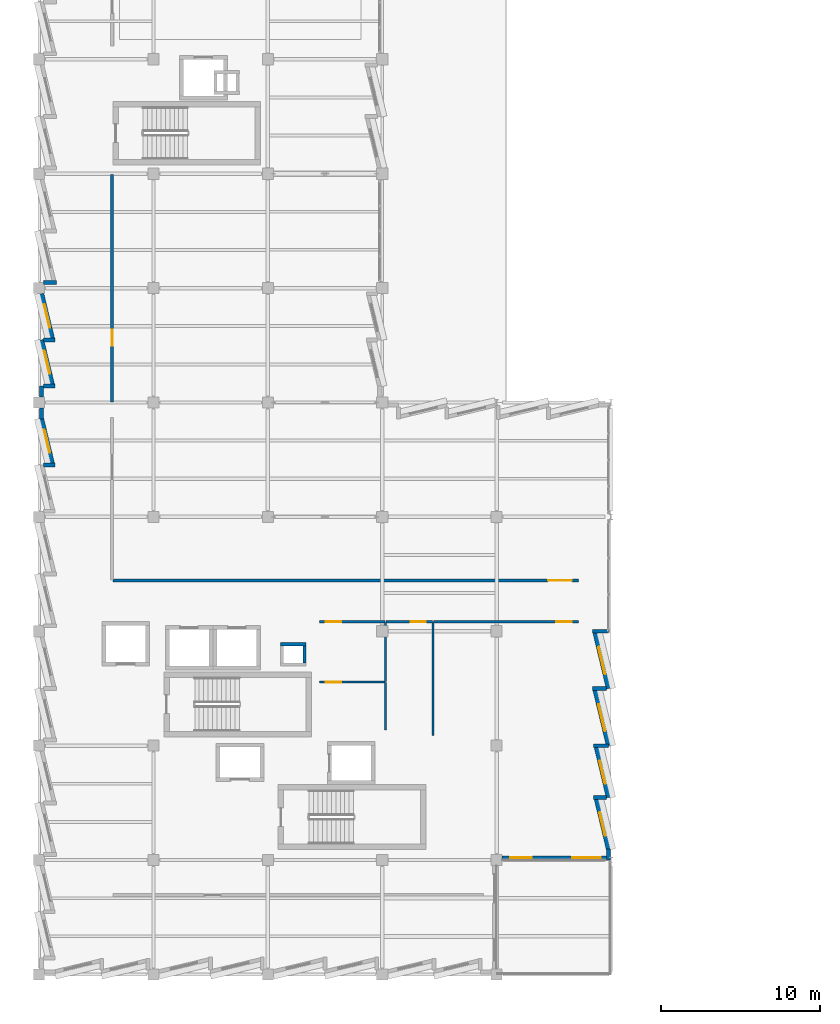
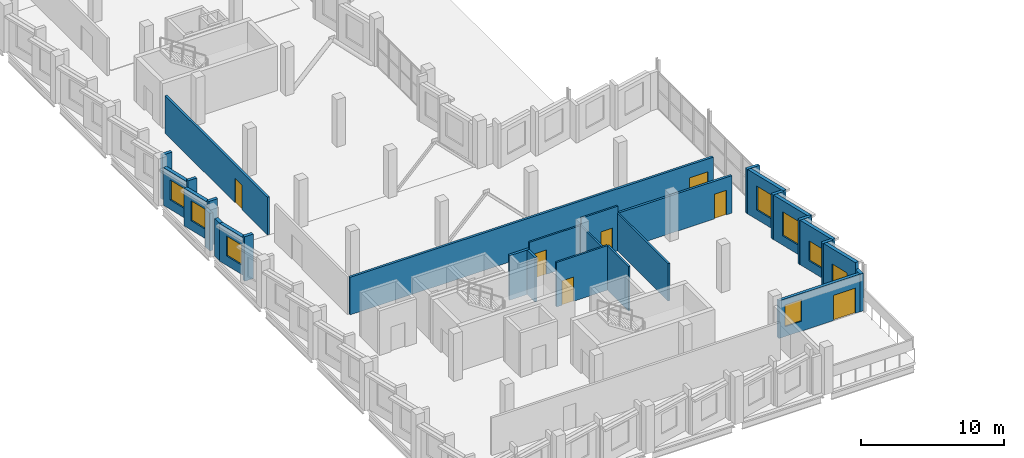
# One storey, part 30 of 38: 30 walls, 8 windows, 7 doors, 15 openings.
"""IFC4 building model written with IfcOpenShell, lengths in metres."""

from ifc_helpers import new_model, si_unit, direction, frame, frame_2d, origin, place, context, subcontext, project, spatial, rectangle, extrude, material, layer, layer_set, type_object, element, fill, save


model = new_model("IFC4")

# Units and contexts
model_context = context("Model", 3, precision=1e-05, world=origin(), true_north=direction((0.0, 1.0)))
body_context = subcontext(model_context, "Body", "Model", "MODEL_VIEW")
ifc_project = project(units=[si_unit("LENGTHUNIT", "METRE"), si_unit("AREAUNIT", "SQUARE_METRE"), si_unit("VOLUMEUNIT", "CUBIC_METRE"), si_unit("PLANEANGLEUNIT", "RADIAN"), si_unit("MASSUNIT", "GRAM", prefix="KILO")], contexts=[model_context])

# Site, building, storey
site_placement = place(None, origin())
site = spatial("IfcSite", under=ifc_project, at=site_placement, CompositionType="ELEMENT")
building_placement = place(site_placement, origin())
building = spatial("IfcBuilding", under=site, at=building_placement, Name="Kalmorath City Hall", CompositionType="ELEMENT")
storey_placement = place(building_placement, frame((0.0, 0.0, 18.89990234375)))
storey = spatial("IfcBuildingStorey", under=building, at=storey_placement, Name="L04", CompositionType="ELEMENT", Elevation=18.89990234375)

# Walls
ifc_material_1 = material(Name="Concrete C40/50", Category="concrete")
ifc_layer_1 = layer(ifc_material_1, 0.199951171875)
ifc_layer_set_1 = layer_set([ifc_layer_1], Name="Concrete C40/50")
wall_type_1 = type_object("IfcWallType", Name="Concrete service riser wall 200", PredefinedType="SOLIDWALL", material=ifc_layer_set_1)
wall_1_placement = place(storey_placement, frame((16.800048828125, 20.780029296875, 0.0), z_axis=(0.0, 0.0, 1.0), x_axis=(-1.0, 0.0, 0.0)))
element("IfcWall", 1, at=wall_1_placement, inside=storey, type_object=wall_type_1, Name="L04 RSR-1 riser shaft wall N", PredefinedType="SOLIDWALL", context=body_context, shape_type="SweptSolid", body=[
    extrude(rectangle(XDim=1.60009765625, YDim=0.199951171875, at=frame_2d((0.800048828125, 0.0))), origin(), (0.0, 0.0, 1.0), 3.800048828125),
])
wall_2_placement = place(storey_placement, frame((16.699951171875, 19.60009765625, 0.0), z_axis=(0.0, 0.0, 1.0), x_axis=(0.0, 1.0, 0.0)))
element("IfcWall", 2, at=wall_2_placement, inside=storey, type_object=wall_type_1, Name="L04 RSR-1 riser shaft wall E", PredefinedType="SOLIDWALL", context=body_context, shape_type="SweptSolid", body=[
    extrude(rectangle(XDim=1.079833984375, YDim=0.199951171875, at=frame_2d((0.5400390625, 0.0))), origin(), (0.0, 0.0, 1.0), 3.800048828125),
])

# Wall, opening, door
ifc_material_2 = material(Name="Fire-rated acoustic gypsum partition")
ifc_layer_2 = layer(ifc_material_2, 0.179931640625)
ifc_layer_set_2 = layer_set([ifc_layer_2], Name="Fire-rated acoustic gypsum partition")
wall_type_2 = type_object("IfcWallType", Name="One-hour corridor fire partition 180", PredefinedType="PARTITIONING", material=ifc_layer_set_2)
wall_3_placement = place(storey_placement, frame((4.60009765625, 36.0400390625, 0.0), z_axis=(0.0, 0.0, 1.0), x_axis=(0.0, 1.0, 0.0)))
wall_3 = element("IfcWall", 3, at=wall_3_placement, inside=storey, type_object=wall_type_2, Name="L04 interior partition PW2 #157", PredefinedType="PARTITIONING", context=body_context, shape_type="SweptSolid", body=[
    extrude(rectangle(XDim=14.320068359375, YDim=0.179931640625, at=frame_2d((7.16015625, 0.0))), origin(), (0.0, 0.0, 1.0), 3.2080078125),
])
opening_1_placement = place(wall_3_placement, frame((3.5400390625, 0.0, 0.0)))
opening_1 = element("IfcOpeningElement", 4, at=opening_1_placement, cuts=wall_3, Name="Opening D-L04-245", PredefinedType="OPENING", context=body_context, shape_type="SweptSolid", body=[
    extrude(rectangle(XDim=1.0, YDim=2.10009765625, at=frame_2d((0.5, 1.050048828125))), frame((0.0, 0.099853515625, 0.0), z_axis=(0.0, -1.0, 0.0), x_axis=(1.0, 0.0, 0.0)), (0.0, 0.0, 1.0), 0.199951171875),
])
ifc_material_3 = material(Name="Hardwood fire door", Category="wood")
door_type_1 = type_object("IfcDoorType", Name="Corridor 60-min fire door 1000x2100", OperationType="NOTDEFINED", PredefinedType="DOOR", material=ifc_material_3)
door_1_placement = place(opening_1_placement, origin())
door_1 = element("IfcDoor", 5, at=door_1_placement, inside=storey, type_object=door_type_1, Name="L04 door D-L04-245", OperationType="SINGLE_SWING_LEFT", OverallHeight=2.10009765625, OverallWidth=1.0, PredefinedType="DOOR", context=body_context, shape_type="SweptSolid", body=[
    extrude(rectangle(XDim=1.0, YDim=2.10009765625, at=frame_2d((0.5, 1.050048828125))), frame((0.0, 0.02490234375, 0.0), z_axis=(0.0, -1.0, 0.0), x_axis=(1.0, 0.0, 0.0)), (0.0, 0.0, 1.0), 0.050048828125),
])
fill(opening_1, door_1)

wall_4_placement = place(storey_placement, frame((24.840087890625, 22.199951171875, 0.0), z_axis=(0.0, 0.0, 1.0), x_axis=(1.0, 0.0, 0.0)))
wall_4 = element("IfcWall", 6, at=wall_4_placement, inside=storey, type_object=wall_type_2, Name="L04 interior partition PW2 #161", PredefinedType="PARTITIONING", context=body_context, shape_type="SweptSolid", body=[
    extrude(rectangle(XDim=9.119873046875, YDim=0.179931640625, at=frame_2d((4.56005859375, 0.0))), origin(), (0.0, 0.0, 1.0), 3.2060546875),
])
opening_2_placement = place(wall_4_placement, frame((7.699951171875, 0.0, 0.0)))
opening_2 = element("IfcOpeningElement", 7, at=opening_2_placement, cuts=wall_4, Name="Opening D-L04-242", PredefinedType="OPENING", context=body_context, shape_type="SweptSolid", body=[
    extrude(rectangle(XDim=1.0, YDim=2.10009765625, at=frame_2d((0.5, 1.050048828125))), frame((0.0, 0.099853515625, 0.0), z_axis=(0.0, -1.0, 0.0), x_axis=(1.0, 0.0, 0.0)), (0.0, 0.0, 1.0), 0.199951171875),
])
door_2_placement = place(opening_2_placement, origin())
door_2 = element("IfcDoor", 8, at=door_2_placement, inside=storey, type_object=door_type_1, Name="L04 door D-L04-242", OperationType="SINGLE_SWING_RIGHT", OverallHeight=2.10009765625, OverallWidth=1.0, PredefinedType="DOOR", context=body_context, shape_type="SweptSolid", body=[
    extrude(rectangle(XDim=1.0, YDim=2.10009765625, at=frame_2d((0.5, 1.050048828125))), frame((0.0, 0.02490234375, 0.0), z_axis=(0.0, -1.0, 0.0), x_axis=(1.0, 0.0, 0.0)), (0.0, 0.0, 1.0), 0.050048828125),
])
fill(opening_2, door_2)

wall_5_placement = place(storey_placement, frame((4.639892578125, 24.800048828125, 0.0), z_axis=(0.0, 0.0, 1.0), x_axis=(1.0, 0.0, 0.0)))
wall_5 = element("IfcWall", 9, at=wall_5_placement, inside=storey, type_object=wall_type_2, Name="L04 interior partition PW2 #162", PredefinedType="PARTITIONING", context=body_context, shape_type="SweptSolid", body=[
    extrude(rectangle(XDim=29.320068359375, YDim=0.179931640625, at=frame_2d((14.66015625, 0.0))), origin(), (0.0, 0.0, 1.0), 3.2060546875),
])
opening_3_placement = place(wall_5_placement, frame((27.39990234375, 0.0, 0.0)))
opening_3 = element("IfcOpeningElement", 10, at=opening_3_placement, cuts=wall_5, Name="Opening D-L04-243", PredefinedType="OPENING", context=body_context, shape_type="SweptSolid", body=[
    extrude(rectangle(XDim=1.5, YDim=2.10009765625, at=frame_2d((0.75, 1.050048828125))), frame((0.0, 0.099853515625, 0.0), z_axis=(0.0, -1.0, 0.0), x_axis=(1.0, 0.0, 0.0)), (0.0, 0.0, 1.0), 0.199951171875),
])
ifc_material_4 = material(Name="Hardwood veneer door", Category="wood")
door_type_2 = type_object("IfcDoorType", Name="Conference suite double door 1500x2100", OperationType="DOUBLE_DOOR_SINGLE_SWING", PredefinedType="DOOR", material=ifc_material_4)
door_3_placement = place(opening_3_placement, origin())
door_3 = element("IfcDoor", 11, at=door_3_placement, inside=storey, type_object=door_type_2, Name="L04 door D-L04-243", OperationType="DOUBLE_DOOR_SINGLE_SWING", OverallHeight=2.10009765625, OverallWidth=1.5, PredefinedType="DOOR", context=body_context, shape_type="SweptSolid", body=[
    extrude(rectangle(XDim=1.5, YDim=2.10009765625, at=frame_2d((0.75, 1.050048828125))), frame((0.0, 0.02490234375, 0.0), z_axis=(0.0, -1.0, 0.0), x_axis=(1.0, 0.0, 0.0)), (0.0, 0.0, 1.0), 0.050048828125),
])
fill(opening_3, door_3)

# Walls
ifc_material_5 = material(Name="Precast concrete C40/50", Category="concrete")
ifc_layer_3 = layer(ifc_material_5, 0.239990234375)
ifc_layer_set_3 = layer_set([ifc_layer_3], Name="Precast concrete C40/50")
wall_type_3 = type_object("IfcWallType", Name="Precast sawtooth cheek wall 240", PredefinedType="SOLIDWALL", material=ifc_layer_set_3)
wall_6_placement = place(storey_placement, frame((34.830810546875, 21.60009765625, 0.0), z_axis=(0.0, 0.0, 1.0), x_axis=(1.0, 0.0, 0.0)))
element("IfcWall", 12, at=wall_6_placement, inside=storey, type_object=wall_type_3, Name="L04 sawtooth return cheek #715", PredefinedType="SOLIDWALL", context=body_context, shape_type="SweptSolid", body=[
    extrude(rectangle(XDim=1.019287109375, YDim=0.239990234375, at=frame_2d((0.509765625, 0.0))), origin(), (0.0, 0.0, 1.0), 3.800048828125),
])
wall_7_placement = place(storey_placement, frame((34.830810546875, 18.0, 0.0), z_axis=(0.0, 0.0, 1.0), x_axis=(1.0, 0.0, 0.0)))
element("IfcWall", 13, at=wall_7_placement, inside=storey, type_object=wall_type_3, Name="L04 sawtooth return cheek #717", PredefinedType="SOLIDWALL", context=body_context, shape_type="SweptSolid", body=[
    extrude(rectangle(XDim=0.877197265625, YDim=0.239990234375, at=frame_2d((0.4384765625, 0.0))), origin(), (0.0, 0.0, 1.0), 3.800048828125),
])
wall_8_placement = place(storey_placement, frame((34.912353515625, 14.39990234375, 0.0), z_axis=(0.0, 0.0, 1.0), x_axis=(1.0, 0.0, 0.0)))
element("IfcWall", 14, at=wall_8_placement, inside=storey, type_object=wall_type_3, Name="L04 sawtooth return cheek #720", PredefinedType="SOLIDWALL", context=body_context, shape_type="SweptSolid", body=[
    extrude(rectangle(XDim=0.937744140625, YDim=0.239990234375, at=frame_2d((0.46875, 0.0))), origin(), (0.0, 0.0, 1.0), 3.800048828125),
])
wall_9_placement = place(storey_placement, frame((34.912353515625, 11.139892578125, 0.0), z_axis=(0.0, 0.0, 1.0), x_axis=(1.0, 0.0, 0.0)))
element("IfcWall", 15, at=wall_9_placement, inside=storey, type_object=wall_type_3, Name="L04 sawtooth return cheek #722", PredefinedType="SOLIDWALL", context=body_context, shape_type="SweptSolid", body=[
    extrude(rectangle(XDim=0.795654296875, YDim=0.239990234375, at=frame_2d((0.39794921875, 0.0))), origin(), (0.0, 0.0, 1.0), 3.800048828125),
])
wall_10_placement = place(storey_placement, frame((1.00341796875, 32.06005859375, 0.0), z_axis=(0.0, 0.0, 1.0), x_axis=(-1.0, 0.0, 0.0)))
element("IfcWall", 16, at=wall_10_placement, inside=storey, type_object=wall_type_3, Name="L04 sawtooth return cheek #764", PredefinedType="SOLIDWALL", context=body_context, shape_type="SweptSolid", body=[
    extrude(rectangle(XDim=0.71142578125, YDim=0.239990234375, at=frame_2d((0.355712890625, 0.0))), origin(), (0.0, 0.0, 1.0), 3.800048828125),
])
wall_11_placement = place(storey_placement, frame((1.00341796875, 37.031005859375, 0.0), z_axis=(0.0, 0.0, 1.0), x_axis=(-1.0, 0.0, 0.0)))
element("IfcWall", 17, at=wall_11_placement, inside=storey, type_object=wall_type_3, Name="L04 sawtooth return cheek #767", PredefinedType="SOLIDWALL", context=body_context, shape_type="SweptSolid", body=[
    extrude(rectangle(XDim=0.721435546875, YDim=0.239990234375, at=frame_2d((0.36083984375, 0.0))), origin(), (0.0, 0.0, 1.0), 3.800048828125),
])
wall_12_placement = place(storey_placement, frame((1.00341796875, 39.93994140625, 0.0), z_axis=(0.0, 0.0, 1.0), x_axis=(-1.0, 0.0, 0.0)))
element("IfcWall", 18, at=wall_12_placement, inside=storey, type_object=wall_type_3, Name="L04 sawtooth return cheek #769", PredefinedType="SOLIDWALL", context=body_context, shape_type="SweptSolid", body=[
    extrude(rectangle(XDim=0.71142578125, YDim=0.239990234375, at=frame_2d((0.355712890625, 0.0))), origin(), (0.0, 0.0, 1.0), 3.800048828125),
])
wall_13_placement = place(storey_placement, frame((1.0849609375, 43.551025390625, 0.0), z_axis=(0.0, 0.0, 1.0), x_axis=(-1.0, 0.0, 0.0)))
element("IfcWall", 19, at=wall_13_placement, inside=storey, type_object=wall_type_3, Name="L04 sawtooth return cheek #771", PredefinedType="SOLIDWALL", context=body_context, shape_type="SweptSolid", body=[
    extrude(rectangle(XDim=0.79296875, YDim=0.239990234375, at=frame_2d((0.396484375, 0.0))), origin(), (0.0, 0.0, 1.0), 3.800048828125),
])

# Wall, opening, window
ifc_material_6 = material(Name="Precast concrete C40/50", Category="concrete")
ifc_layer_4 = layer(ifc_material_6, 0.280029296875)
ifc_layer_set_4 = layer_set([ifc_layer_4], Name="Precast concrete C40/50")
wall_type_4 = type_object("IfcWallType", Name="Precast sawtooth facade wall 280", PredefinedType="SOLIDWALL", material=ifc_layer_set_4)
wall_14_placement = place(storey_placement, frame((34.997802734375, 21.507568359375, 0.0), z_axis=(0.0, 0.0, 1.0), x_axis=(0.233495818898, -0.972357805829, 0.0)))
wall_14 = element("IfcWall", 20, at=wall_14_placement, inside=storey, type_object=wall_type_4, Name="L04 sawtooth precast frame #714", PredefinedType="SOLIDWALL", context=body_context, shape_type="SweptSolid", body=[
    extrude(rectangle(XDim=3.607177734375, YDim=0.280029296875, at=frame_2d((1.8037109375, 0.0))), origin(), (0.0, 0.0, 1.0), 3.800048828125),
])
opening_4_placement = place(wall_14_placement, frame((0.9287109375, 0.0, 0.800048828125)))
opening_4 = element("IfcOpeningElement", 21, at=opening_4_placement, cuts=wall_14, Name="Opening WN1", PredefinedType="OPENING", context=body_context, shape_type="SweptSolid", body=[
    extrude(rectangle(XDim=1.75, YDim=2.050048828125, at=frame_2d((0.875, 1.02490234375))), frame((0.0, 0.14990234375, 0.0), z_axis=(0.0, -1.0, 0.0), x_axis=(1.0, 0.0, 0.0)), (0.0, 0.0, 1.0), 0.300048828125),
])
ifc_material_7 = material(Name="Aluminium and laminated glass", Category="aluminium")
window_type_1 = type_object("IfcWindowType", Name="Sawtooth hurricane window 1750x2050", PartitioningType="SINGLE_PANEL", PredefinedType="WINDOW", material=ifc_material_7)
window_1_placement = place(opening_4_placement, origin())
window_1 = element("IfcWindow", 22, at=window_1_placement, inside=storey, type_object=window_type_1, Name="L04 window WN1-378", OverallHeight=2.050048828125, OverallWidth=1.75, PartitioningType="SINGLE_PANEL", PredefinedType="WINDOW", context=body_context, shape_type="SweptSolid", body=[
    extrude(rectangle(XDim=1.75, YDim=2.050048828125, at=frame_2d((0.875, 1.02490234375))), frame((0.0, 0.030029296875, 0.0), z_axis=(0.0, -1.0, 0.0), x_axis=(1.0, 0.0, 0.0)), (0.0, 0.0, 1.0), 0.06005859375),
])
fill(opening_4, window_1)

wall_15_placement = place(storey_placement, frame((34.997802734375, 17.90771484375, 0.0), z_axis=(0.0, 0.0, 1.0), x_axis=(0.233480453725, -0.972361495396, 0.0)))
wall_15 = element("IfcWall", 23, at=wall_15_placement, inside=storey, type_object=wall_type_4, Name="L04 sawtooth precast frame #716", PredefinedType="SOLIDWALL", context=body_context, shape_type="SweptSolid", body=[
    extrude(rectangle(XDim=3.607421875, YDim=0.280029296875, at=frame_2d((1.8037109375, 0.0))), origin(), (0.0, 0.0, 1.0), 3.800048828125),
])
opening_5_placement = place(wall_15_placement, frame((0.9287109375, 0.0, 0.800048828125)))
opening_5 = element("IfcOpeningElement", 24, at=opening_5_placement, cuts=wall_15, Name="Opening WN1", PredefinedType="OPENING", context=body_context, shape_type="SweptSolid", body=[
    extrude(rectangle(XDim=1.75, YDim=2.050048828125, at=frame_2d((0.875, 1.02490234375))), frame((0.0, 0.14990234375, 0.0), z_axis=(0.0, -1.0, 0.0), x_axis=(1.0, 0.0, 0.0)), (0.0, 0.0, 1.0), 0.300048828125),
])
window_2_placement = place(opening_5_placement, origin())
window_2 = element("IfcWindow", 25, at=window_2_placement, inside=storey, type_object=window_type_1, Name="L04 window WN1-379", OverallHeight=2.050048828125, OverallWidth=1.75, PartitioningType="SINGLE_PANEL", PredefinedType="WINDOW", context=body_context, shape_type="SweptSolid", body=[
    extrude(rectangle(XDim=1.75, YDim=2.050048828125, at=frame_2d((0.875, 1.02490234375))), frame((0.0, 0.030029296875, 0.0), z_axis=(0.0, -1.0, 0.0), x_axis=(1.0, 0.0, 0.0)), (0.0, 0.0, 1.0), 0.06005859375),
])
fill(opening_5, window_2)

wall_16_placement = place(storey_placement, frame((35.07958984375, 14.3076171875, 0.0), z_axis=(0.0, 0.0, 1.0), x_axis=(0.233443812137, -0.972370292931, 0.0)))
wall_16 = element("IfcWall", 26, at=wall_16_placement, inside=storey, type_object=wall_type_4, Name="L04 sawtooth precast frame #719", PredefinedType="SOLIDWALL", context=body_context, shape_type="SweptSolid", body=[
    extrude(rectangle(XDim=3.2578125, YDim=0.280029296875, at=frame_2d((1.62890625, 0.0))), origin(), (0.0, 0.0, 1.0), 3.800048828125),
])
opening_6_placement = place(wall_16_placement, frame((0.87890625, 0.0, 0.800048828125)))
opening_6 = element("IfcOpeningElement", 27, at=opening_6_placement, cuts=wall_16, Name="Opening WN7", PredefinedType="OPENING", context=body_context, shape_type="SweptSolid", body=[
    extrude(rectangle(XDim=1.5, YDim=1.699951171875, at=frame_2d((0.75, 0.85009765625))), frame((0.0, 0.14990234375, 0.0), z_axis=(0.0, -1.0, 0.0), x_axis=(1.0, 0.0, 0.0)), (0.0, 0.0, 1.0), 0.300048828125),
])
ifc_material_8 = material(Name="Aluminium and laminated glass", Category="aluminium")
window_type_2 = type_object("IfcWindowType", Name="Sawtooth top storey window 1500x1700", PartitioningType="SINGLE_PANEL", PredefinedType="WINDOW", material=ifc_material_8)
window_3_placement = place(opening_6_placement, origin())
window_3 = element("IfcWindow", 28, at=window_3_placement, inside=storey, type_object=window_type_2, Name="L04 window WN7-380", OverallHeight=1.699951171875, OverallWidth=1.5, PartitioningType="SINGLE_PANEL", PredefinedType="WINDOW", context=body_context, shape_type="SweptSolid", body=[
    extrude(rectangle(XDim=1.5, YDim=1.699951171875, at=frame_2d((0.75, 0.85009765625))), frame((0.0, 0.030029296875, 0.0), z_axis=(0.0, -1.0, 0.0), x_axis=(1.0, 0.0, 0.0)), (0.0, 0.0, 1.0), 0.06005859375),
])
fill(opening_6, window_3)

wall_17_placement = place(storey_placement, frame((35.07958984375, 11.047607421875, 0.0), z_axis=(0.0, 0.0, 1.0), x_axis=(0.233443812137, -0.972370292931, 0.0)))
wall_17 = element("IfcWall", 29, at=wall_17_placement, inside=storey, type_object=wall_type_4, Name="L04 sawtooth precast frame #721", PredefinedType="SOLIDWALL", context=body_context, shape_type="SweptSolid", body=[
    extrude(rectangle(XDim=3.2578125, YDim=0.280029296875, at=frame_2d((1.62890625, 0.0))), origin(), (0.0, 0.0, 1.0), 3.800048828125),
])
opening_7_placement = place(wall_17_placement, frame((0.87890625, 0.0, 0.800048828125)))
opening_7 = element("IfcOpeningElement", 30, at=opening_7_placement, cuts=wall_17, Name="Opening WN7", PredefinedType="OPENING", context=body_context, shape_type="SweptSolid", body=[
    extrude(rectangle(XDim=1.5, YDim=1.699951171875, at=frame_2d((0.75, 0.85009765625))), frame((0.0, 0.14990234375, 0.0), z_axis=(0.0, -1.0, 0.0), x_axis=(1.0, 0.0, 0.0)), (0.0, 0.0, 1.0), 0.300048828125),
])
window_4_placement = place(opening_7_placement, origin())
window_4 = element("IfcWindow", 31, at=window_4_placement, inside=storey, type_object=window_type_2, Name="L04 window WN7-381", OverallHeight=1.699951171875, OverallWidth=1.5, PartitioningType="SINGLE_PANEL", PredefinedType="WINDOW", context=body_context, shape_type="SweptSolid", body=[
    extrude(rectangle(XDim=1.5, YDim=1.699951171875, at=frame_2d((0.75, 0.85009765625))), frame((0.0, 0.030029296875, 0.0), z_axis=(0.0, -1.0, 0.0), x_axis=(1.0, 0.0, 0.0)), (0.0, 0.0, 1.0), 0.06005859375),
])
fill(opening_7, window_4)

wall_18_placement = place(storey_placement, frame((0.836181640625, 32.15234375, 0.0), z_axis=(0.0, 0.0, 1.0), x_axis=(-0.233462206666, 0.972365876643, 0.0)))
wall_18 = element("IfcWall", 32, at=wall_18_placement, inside=storey, type_object=wall_type_4, Name="L04 sawtooth precast frame #763", PredefinedType="SOLIDWALL", context=body_context, shape_type="SweptSolid", body=[
    extrude(rectangle(XDim=2.896728515625, YDim=0.280029296875, at=frame_2d((1.4482421875, 0.0))), origin(), (0.0, 0.0, 1.0), 3.216064453125),
])
opening_8_placement = place(wall_18_placement, frame((0.6982421875, 0.0, 0.800048828125)))
opening_8 = element("IfcOpeningElement", 33, at=opening_8_placement, cuts=wall_18, Name="Opening WN7", PredefinedType="OPENING", context=body_context, shape_type="SweptSolid", body=[
    extrude(rectangle(XDim=1.5, YDim=1.699951171875, at=frame_2d((0.75, 0.85009765625))), frame((0.0, 0.14990234375, 0.0), z_axis=(0.0, -1.0, 0.0), x_axis=(1.0, 0.0, 0.0)), (0.0, 0.0, 1.0), 0.300048828125),
])
window_5_placement = place(opening_8_placement, origin())
window_5 = element("IfcWindow", 34, at=window_5_placement, inside=storey, type_object=window_type_2, Name="L04 window WN7-401", OverallHeight=1.699951171875, OverallWidth=1.5, PartitioningType="SINGLE_PANEL", PredefinedType="WINDOW", context=body_context, shape_type="SweptSolid", body=[
    extrude(rectangle(XDim=1.5, YDim=1.699951171875, at=frame_2d((0.75, 0.85009765625))), frame((0.0, 0.030029296875, 0.0), z_axis=(0.0, -1.0, 0.0), x_axis=(1.0, 0.0, 0.0)), (0.0, 0.0, 1.0), 0.06005859375),
])
fill(opening_8, window_5)

wall_19_placement = place(storey_placement, frame((0.836181640625, 37.123291015625, 0.0), z_axis=(0.0, 0.0, 1.0), x_axis=(-0.233462206666, 0.972365876643, 0.0)))
wall_19 = element("IfcWall", 35, at=wall_19_placement, inside=storey, type_object=wall_type_4, Name="L04 sawtooth precast frame #766", PredefinedType="SOLIDWALL", context=body_context, shape_type="SweptSolid", body=[
    extrude(rectangle(XDim=2.896728515625, YDim=0.280029296875, at=frame_2d((1.4482421875, 0.0))), origin(), (0.0, 0.0, 1.0), 3.216064453125),
])
opening_9_placement = place(wall_19_placement, frame((0.6982421875, 0.0, 0.800048828125)))
opening_9 = element("IfcOpeningElement", 36, at=opening_9_placement, cuts=wall_19, Name="Opening WN7", PredefinedType="OPENING", context=body_context, shape_type="SweptSolid", body=[
    extrude(rectangle(XDim=1.5, YDim=1.699951171875, at=frame_2d((0.75, 0.85009765625))), frame((0.0, 0.14990234375, 0.0), z_axis=(0.0, -1.0, 0.0), x_axis=(1.0, 0.0, 0.0)), (0.0, 0.0, 1.0), 0.300048828125),
])
window_6_placement = place(opening_9_placement, origin())
window_6 = element("IfcWindow", 37, at=window_6_placement, inside=storey, type_object=window_type_2, Name="L04 window WN7-402", OverallHeight=1.699951171875, OverallWidth=1.5, PartitioningType="SINGLE_PANEL", PredefinedType="WINDOW", context=body_context, shape_type="SweptSolid", body=[
    extrude(rectangle(XDim=1.5, YDim=1.699951171875, at=frame_2d((0.75, 0.85009765625))), frame((0.0, 0.030029296875, 0.0), z_axis=(0.0, -1.0, 0.0), x_axis=(1.0, 0.0, 0.0)), (0.0, 0.0, 1.0), 0.06005859375),
])
fill(opening_9, window_6)

wall_20_placement = place(storey_placement, frame((0.836181640625, 40.032470703125, 0.0), z_axis=(0.0, 0.0, 1.0), x_axis=(-0.233462206666, 0.972365876643, 0.0)))
wall_20 = element("IfcWall", 38, at=wall_20_placement, inside=storey, type_object=wall_type_4, Name="L04 sawtooth precast frame #768", PredefinedType="SOLIDWALL", context=body_context, shape_type="SweptSolid", body=[
    extrude(rectangle(XDim=2.896728515625, YDim=0.280029296875, at=frame_2d((1.4482421875, 0.0))), origin(), (0.0, 0.0, 1.0), 3.216064453125),
])
opening_10_placement = place(wall_20_placement, frame((0.6982421875, 0.0, 0.800048828125)))
opening_10 = element("IfcOpeningElement", 39, at=opening_10_placement, cuts=wall_20, Name="Opening WN7", PredefinedType="OPENING", context=body_context, shape_type="SweptSolid", body=[
    extrude(rectangle(XDim=1.5, YDim=1.699951171875, at=frame_2d((0.75, 0.85009765625))), frame((0.0, 0.14990234375, 0.0), z_axis=(0.0, -1.0, 0.0), x_axis=(1.0, 0.0, 0.0)), (0.0, 0.0, 1.0), 0.300048828125),
])
window_7_placement = place(opening_10_placement, origin())
window_7 = element("IfcWindow", 40, at=window_7_placement, inside=storey, type_object=window_type_2, Name="L04 window WN7-403", OverallHeight=1.699951171875, OverallWidth=1.5, PartitioningType="SINGLE_PANEL", PredefinedType="WINDOW", context=body_context, shape_type="SweptSolid", body=[
    extrude(rectangle(XDim=1.5, YDim=1.699951171875, at=frame_2d((0.75, 0.85009765625))), frame((0.0, 0.030029296875, 0.0), z_axis=(0.0, -1.0, 0.0), x_axis=(1.0, 0.0, 0.0)), (0.0, 0.0, 1.0), 0.06005859375),
])
fill(opening_10, window_7)

# Walls
ifc_material_9 = material(Name="Precast concrete C40/50", Category="concrete")
ifc_layer_5 = layer(ifc_material_9, 0.260009765625)
ifc_layer_set_5 = layer_set([ifc_layer_5], Name="Precast concrete C40/50")
wall_type_5 = type_object("IfcWallType", Name="Precast sawtooth return wall 260", PredefinedType="SOLIDWALL", material=ifc_layer_set_5)
for number, where, z_axis, x_axis, name in (
    (41, (35.840087890625, 7.8798828125, 0.0), (0.0, 0.0, 1.0), (0.0, -1.0, 0.0), "L04 corner pier wall #718"),
    (42, (0.159912109375, 34.968994140625, 0.0), (0.0, 0.0, 1.0), (0.0, 1.0, 0.0), "L04 corner pier wall #760"),
    (43, (0.159912109375, 36.35107421875, 0.0), (0.0, 0.0, 1.0), (0.0, 1.0, 0.0), "L04 corner pier wall #765"),
):
    element("IfcWall", number, at=place(storey_placement, frame(where, z_axis=z_axis, x_axis=x_axis)), inside=storey, type_object=wall_type_5, Name=name, PredefinedType="SOLIDWALL", context=body_context, shape_type="SweptSolid", body=[
        extrude(rectangle(XDim=0.679931640625, YDim=0.260009765625, at=frame_2d((0.33984375, 0.0))), origin(), (0.0, 0.0, 1.0), 3.216064453125),
    ])

# Wall, openings, door, window
ifc_material_10 = material(Name="Precast concrete C40/50", Category="concrete")
ifc_layer_6 = layer(ifc_material_10, 0.239990234375)
ifc_layer_set_6 = layer_set([ifc_layer_6], Name="Precast concrete C40/50")
wall_type_6 = type_object("IfcWallType", Name="Recessed loggia insulated wall 240", PredefinedType="SOLIDWALL", material=ifc_layer_set_6)
wall_21_placement = place(storey_placement, frame((35.89697265625, 7.340087890625, 0.0), z_axis=(0.0, 0.0, 1.0), x_axis=(-1.0, 0.0, 0.0)))
wall_21 = element("IfcWall", 44, at=wall_21_placement, inside=storey, type_object=wall_type_6, Name="L04 loggia wall #723", PredefinedType="SOLIDWALL", context=body_context, shape_type="SweptSolid", body=[
    extrude(rectangle(XDim=6.74609375, YDim=0.239990234375, at=frame_2d((3.373046875, 0.0))), origin(), (0.0, 0.0, 1.0), 3.216064453125),
])
opening_11_placement = place(wall_21_placement, frame((0.550048828125, 0.0, 0.0)))
opening_11 = element("IfcOpeningElement", 45, at=opening_11_placement, cuts=wall_21, Name="Opening D-E027", PredefinedType="OPENING", context=body_context, shape_type="SweptSolid", body=[
    extrude(rectangle(XDim=1.800048828125, YDim=2.14990234375, at=frame_2d((0.89990234375, 1.074951171875))), frame((0.0, 0.1298828125, 0.0), z_axis=(0.0, -1.0, 0.0), x_axis=(1.0, 0.0, 0.0)), (0.0, 0.0, 1.0), 0.260009765625),
])
opening_12_placement = place(wall_21_placement, frame((4.89599609375, 0.0, 0.85009765625)))
opening_12 = element("IfcOpeningElement", 46, at=opening_12_placement, cuts=wall_21, Name="Opening WN17", PredefinedType="OPENING", context=body_context, shape_type="SweptSolid", body=[
    extrude(rectangle(XDim=1.35009765625, YDim=1.85009765625, at=frame_2d((0.675048828125, 0.925048828125))), frame((0.0, 0.1298828125, 0.0), z_axis=(0.0, -1.0, 0.0), x_axis=(1.0, 0.0, 0.0)), (0.0, 0.0, 1.0), 0.260009765625),
])
ifc_material_11 = material(Name="Bronze-anodised aluminium and glass", Category="aluminium")
door_type_3 = type_object("IfcDoorType", Name="Roof garden double terrace door 1800x2150", OperationType="DOUBLE_DOOR_SINGLE_SWING", PredefinedType="DOOR", material=ifc_material_11)
door_4_placement = place(opening_11_placement, origin())
door_4 = element("IfcDoor", 47, at=door_4_placement, inside=storey, type_object=door_type_3, Name="L04 exterior door D-E027", OperationType="DOUBLE_DOOR_SINGLE_SWING", OverallHeight=2.14990234375, OverallWidth=1.800048828125, PredefinedType="DOOR", context=body_context, shape_type="SweptSolid", body=[
    extrude(rectangle(XDim=1.800048828125, YDim=2.14990234375, at=frame_2d((0.89990234375, 1.074951171875))), frame((0.0, 0.02490234375, 0.0), z_axis=(0.0, -1.0, 0.0), x_axis=(1.0, 0.0, 0.0)), (0.0, 0.0, 1.0), 0.050048828125),
])
fill(opening_11, door_4)
ifc_material_12 = material(Name="Hardwood-trimmed laminated glass", Category="wood")
window_type_3 = type_object("IfcWindowType", Name="Terrace overlook window 1350x1850", PartitioningType="SINGLE_PANEL", PredefinedType="WINDOW", material=ifc_material_12)
window_8_placement = place(opening_12_placement, origin())
window_8 = element("IfcWindow", 48, at=window_8_placement, inside=storey, type_object=window_type_3, Name="L04 window WN17-382", OverallHeight=1.85009765625, OverallWidth=1.35009765625, PartitioningType="SINGLE_PANEL", PredefinedType="WINDOW", context=body_context, shape_type="SweptSolid", body=[
    extrude(rectangle(XDim=1.35009765625, YDim=1.85009765625, at=frame_2d((0.675048828125, 0.925048828125))), frame((0.0, 0.030029296875, 0.0), z_axis=(0.0, -1.0, 0.0), x_axis=(1.0, 0.0, 0.0)), (0.0, 0.0, 1.0), 0.06005859375),
])
fill(opening_12, window_8)

# Wall, opening, door
ifc_material_13 = material(Name="Moisture-resistant fire-rated partition")
ifc_layer_7 = layer(ifc_material_13, 0.139892578125)
ifc_layer_set_7 = layer_set([ifc_layer_7], Name="Moisture-resistant fire-rated partition")
wall_type_7 = type_object("IfcWallType", Name="Restroom wet-wall tile partition 140", PredefinedType="PARTITIONING", material=ifc_layer_set_7)
wall_22_placement = place(storey_placement, frame((17.639892578125, 22.199951171875, 0.0), z_axis=(0.0, 0.0, 1.0), x_axis=(1.0, 0.0, 0.0)))
wall_22 = element("IfcWall", 49, at=wall_22_placement, inside=storey, type_object=wall_type_7, Name="L04 interior partition PW5 #163", PredefinedType="PARTITIONING", context=body_context, shape_type="SweptSolid", body=[
    extrude(rectangle(XDim=4.1201171875, YDim=0.139892578125, at=frame_2d((2.06005859375, 0.0))), origin(), (0.0, 0.0, 1.0), 3.2060546875),
])
opening_13_placement = place(wall_22_placement, frame((0.419921875, 0.0, 0.0)))
opening_13 = element("IfcOpeningElement", 50, at=opening_13_placement, cuts=wall_22, Name="Opening D-L04-250", PredefinedType="OPENING", context=body_context, shape_type="SweptSolid", body=[
    extrude(rectangle(XDim=0.949951171875, YDim=2.080078125, at=frame_2d((0.47509765625, 1.0400390625))), frame((0.0, 0.079833984375, 0.0), z_axis=(0.0, -1.0, 0.0), x_axis=(1.0, 0.0, 0.0)), (0.0, 0.0, 1.0), 0.159912109375),
])
ifc_material_14 = material(Name="Laminate solid-core door")
door_type_4 = type_object("IfcDoorType", Name="Restroom accessible door 950x2080", OperationType="NOTDEFINED", PredefinedType="DOOR", material=ifc_material_14)
door_5_placement = place(opening_13_placement, origin())
door_5 = element("IfcDoor", 51, at=door_5_placement, inside=storey, type_object=door_type_4, Name="L04 door D-L04-250", OperationType="SINGLE_SWING_RIGHT", OverallHeight=2.080078125, OverallWidth=0.949951171875, PredefinedType="DOOR", context=body_context, shape_type="SweptSolid", body=[
    extrude(rectangle(XDim=0.949951171875, YDim=2.080078125, at=frame_2d((0.47509765625, 1.0400390625))), frame((0.0, 0.02490234375, 0.0), z_axis=(0.0, -1.0, 0.0), x_axis=(1.0, 0.0, 0.0)), (0.0, 0.0, 1.0), 0.050048828125),
])
fill(opening_13, door_5)

wall_23_placement = place(storey_placement, frame((21.840087890625, 22.199951171875, 0.0), z_axis=(0.0, 0.0, 1.0), x_axis=(1.0, 0.0, 0.0)))
wall_23 = element("IfcWall", 52, at=wall_23_placement, inside=storey, type_object=wall_type_7, Name="L04 interior partition PW5 #164", PredefinedType="PARTITIONING", context=body_context, shape_type="SweptSolid", body=[
    extrude(rectangle(XDim=2.919921875, YDim=0.139892578125, at=frame_2d((1.4599609375, 0.0))), origin(), (0.0, 0.0, 1.0), 3.800048828125),
])
opening_14_placement = place(wall_23_placement, frame((1.550048828125, 0.0, 0.0)))
opening_14 = element("IfcOpeningElement", 53, at=opening_14_placement, cuts=wall_23, Name="Opening D-L04-251", PredefinedType="OPENING", context=body_context, shape_type="SweptSolid", body=[
    extrude(rectangle(XDim=0.949951171875, YDim=2.080078125, at=frame_2d((0.47509765625, 1.0400390625))), frame((0.0, 0.079833984375, 0.0), z_axis=(0.0, -1.0, 0.0), x_axis=(1.0, 0.0, 0.0)), (0.0, 0.0, 1.0), 0.159912109375),
])
door_6_placement = place(opening_14_placement, origin())
door_6 = element("IfcDoor", 54, at=door_6_placement, inside=storey, type_object=door_type_4, Name="L04 door D-L04-251", OperationType="SINGLE_SWING_LEFT", OverallHeight=2.080078125, OverallWidth=0.949951171875, PredefinedType="DOOR", context=body_context, shape_type="SweptSolid", body=[
    extrude(rectangle(XDim=0.949951171875, YDim=2.080078125, at=frame_2d((0.47509765625, 1.0400390625))), frame((0.0, 0.02490234375, 0.0), z_axis=(0.0, -1.0, 0.0), x_axis=(1.0, 0.0, 0.0)), (0.0, 0.0, 1.0), 0.050048828125),
])
fill(opening_14, door_6)

# Wall
wall_24_placement = place(storey_placement, frame((24.800048828125, 15.0400390625, 0.0), z_axis=(0.0, 0.0, 1.0), x_axis=(0.0, 1.0, 0.0)))
element("IfcWall", 55, at=wall_24_placement, inside=storey, type_object=wall_type_7, Name="L04 interior partition PW5 #166", PredefinedType="PARTITIONING", context=body_context, shape_type="SweptSolid", body=[
    extrude(rectangle(XDim=7.119873046875, YDim=0.139892578125, at=frame_2d((3.56005859375, 0.0))), origin(), (0.0, 0.0, 1.0), 3.2080078125),
])

# Wall, opening, door
wall_25_placement = place(storey_placement, frame((17.639892578125, 18.39990234375, 0.0), z_axis=(0.0, 0.0, 1.0), x_axis=(1.0, 0.0, 0.0)))
wall_25 = element("IfcWall", 56, at=wall_25_placement, inside=storey, type_object=wall_type_7, Name="L04 interior partition PW5 #168", PredefinedType="PARTITIONING", context=body_context, shape_type="SweptSolid", body=[
    extrude(rectangle(XDim=4.1201171875, YDim=0.139892578125, at=frame_2d((2.06005859375, 0.0))), origin(), (0.0, 0.0, 1.0), 3.800048828125),
])
opening_15_placement = place(wall_25_placement, frame((0.419921875, 0.0, 0.0)))
opening_15 = element("IfcOpeningElement", 57, at=opening_15_placement, cuts=wall_25, Name="Opening D-L04-249", PredefinedType="OPENING", context=body_context, shape_type="SweptSolid", body=[
    extrude(rectangle(XDim=0.949951171875, YDim=2.080078125, at=frame_2d((0.47509765625, 1.0400390625))), frame((0.0, 0.079833984375, 0.0), z_axis=(0.0, -1.0, 0.0), x_axis=(1.0, 0.0, 0.0)), (0.0, 0.0, 1.0), 0.159912109375),
])
door_7_placement = place(opening_15_placement, origin())
door_7 = element("IfcDoor", 58, at=door_7_placement, inside=storey, type_object=door_type_4, Name="L04 door D-L04-249", OperationType="SINGLE_SWING_LEFT", OverallHeight=2.080078125, OverallWidth=0.949951171875, PredefinedType="DOOR", context=body_context, shape_type="SweptSolid", body=[
    extrude(rectangle(XDim=0.949951171875, YDim=2.080078125, at=frame_2d((0.47509765625, 1.0400390625))), frame((0.0, 0.02490234375, 0.0), z_axis=(0.0, -1.0, 0.0), x_axis=(1.0, 0.0, 0.0)), (0.0, 0.0, 1.0), 0.050048828125),
])
fill(opening_15, door_7)

# Walls
wall_26_placement = place(storey_placement, frame((21.800048828125, 15.389892578125, 0.0), z_axis=(0.0, 0.0, 1.0), x_axis=(0.0, 1.0, 0.0)))
element("IfcWall", 59, at=wall_26_placement, inside=storey, type_object=wall_type_7, Name="L04 interior partition PW5 #169", PredefinedType="PARTITIONING", context=body_context, shape_type="SweptSolid", body=[
    extrude(rectangle(XDim=2.97021484375, YDim=0.139892578125, at=frame_2d((1.485107421875, 0.0))), origin(), (0.0, 0.0, 1.0), 3.800048828125),
])
wall_27_placement = place(storey_placement, frame((21.800048828125, 18.43994140625, 0.0), z_axis=(0.0, 0.0, 1.0), x_axis=(0.0, 1.0, 0.0)))
element("IfcWall", 60, at=wall_27_placement, inside=storey, type_object=wall_type_7, Name="L04 interior partition PW5 #170", PredefinedType="PARTITIONING", context=body_context, shape_type="SweptSolid", body=[
    extrude(rectangle(XDim=3.719970703125, YDim=0.139892578125, at=frame_2d((1.85986328125, 0.0))), origin(), (0.0, 0.0, 1.0), 3.2060546875),
])

save(model, "model.ifc")
